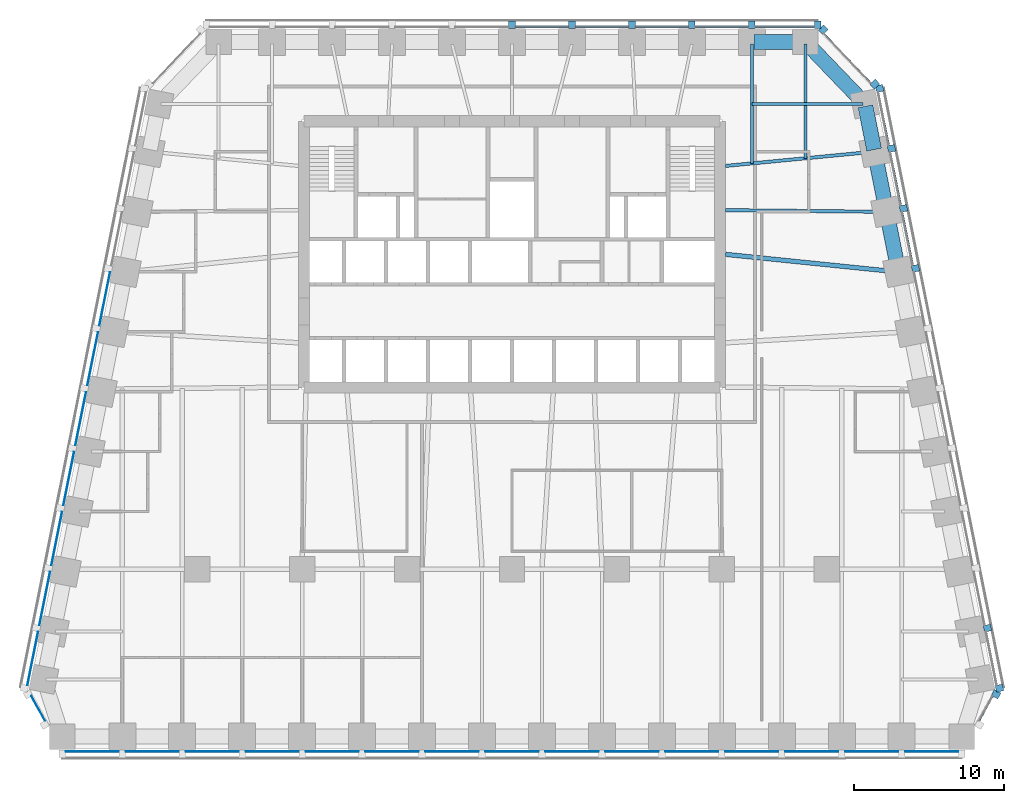
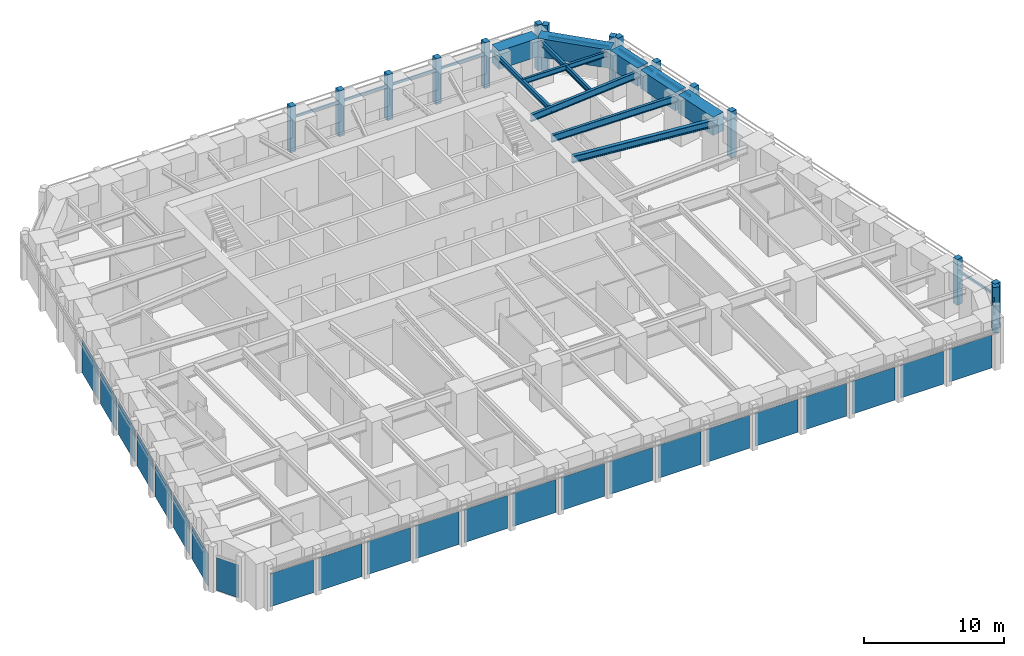
# One storey, part 4 of 10: 26 members, 23 plates, 11 beams, 7 elements without a shape of their own.
"""IFC4 building model written with IfcOpenShell, lengths in metres."""

from ifc_helpers import new_model, si_unit, direction, frame, origin, origin_2d, place, context, subcontext, project, spatial, rectangle, i_section, extrude, material, layer, layer_set, material_profile, profile_set, type_object, element, aggregate, save


model = new_model("IFC4")

# Units and contexts
model_context = context("Model", 3, precision=1e-05, world=origin(), true_north=direction((0.0, 1.0)))
body_context = subcontext(model_context, "Body", "Model", "MODEL_VIEW")
ifc_project = project(units=[si_unit("LENGTHUNIT", "METRE"), si_unit("AREAUNIT", "SQUARE_METRE"), si_unit("VOLUMEUNIT", "CUBIC_METRE"), si_unit("PLANEANGLEUNIT", "RADIAN"), si_unit("MASSUNIT", "GRAM", prefix="KILO")], contexts=[model_context])

# Site, building, storey
site_placement = place(None, origin())
site = spatial("IfcSite", under=ifc_project, at=site_placement, CompositionType="ELEMENT")
building_placement = place(site_placement, origin())
building = spatial("IfcBuilding", under=site, at=building_placement, Name="Isbrekke Arena Tower", CompositionType="ELEMENT")
storey_placement = place(building_placement, frame((0.0, 0.0, 111.0)))
storey = spatial("IfcBuildingStorey", under=building, at=storey_placement, Name="L24", CompositionType="ELEMENT", Elevation=111.0)

# Beams
ifc_material_1 = material(Name="Steel S355", Category="steel")
ifc_material_profile_1 = material_profile(ifc_material_1, i_section(OverallWidth=0.219970703125, OverallDepth=0.60009765625, WebThickness=0.011962890625, FlangeThickness=0.01904296875, FilletRadius=0.02392578125, at=origin_2d()), Name="IPE 600")
ifc_profile_set_1 = profile_set([ifc_material_profile_1], Name="Steel S355")
beam_type_1 = type_object("IfcBeamType", Name="B1 IPE 600", PredefinedType="BEAM", material=ifc_profile_set_1)
beam_1_placement = place(storey_placement, frame((24.83984375, 17.838134765625, 3.550048828125), z_axis=(-0.999944260169, 0.010558245831, 0.0), x_axis=(-0.010558245831, -0.999944260169, 0.0)))
element("IfcBeam", 1, at=beam_1_placement, inside=storey, type_object=beam_type_1, Name="B1 beam E-E09 L24", PredefinedType="BEAM", context=body_context, shape_type="SweptSolid", body=[
    extrude(i_section(OverallWidth=0.219970703125, OverallDepth=0.60009765625, WebThickness=0.011962890625, FlangeThickness=0.01904296875, FilletRadius=0.02392578125, at=origin_2d()), origin(), (0.0, 0.0, 1.0), 10.59033203125),
])
beam_2_placement = place(storey_placement, frame((24.030517578125, 21.837158203125, 3.550048828125), z_axis=(-0.995439798606, -0.095391862082, 0.0), x_axis=(0.095391862082, -0.995439798606, 0.0)))
element("IfcBeam", 2, at=beam_2_placement, inside=storey, type_object=beam_type_1, Name="B1 beam E-E10 L24", PredefinedType="BEAM", context=body_context, shape_type="SweptSolid", body=[
    extrude(i_section(OverallWidth=0.219970703125, OverallDepth=0.60009765625, WebThickness=0.011962890625, FlangeThickness=0.01904296875, FilletRadius=0.02392578125, at=origin_2d()), origin(), (0.0, 0.0, 1.0), 9.825439453125),
])
ifc_material_2 = material(Name="Steel S355", Category="steel")
ifc_material_profile_2 = material_profile(ifc_material_2, i_section(OverallWidth=0.18994140625, OverallDepth=0.449951171875, WebThickness=0.009521484375, FlangeThickness=0.0146484375, FilletRadius=0.02099609375, at=origin_2d()), Name="IPE 450")
ifc_profile_set_2 = profile_set([ifc_material_profile_2], Name="Steel S355")
beam_type_2 = type_object("IfcBeamType", Name="B2 IPE 450", PredefinedType="BEAM", material=ifc_profile_set_2)
beam_3_placement = place(storey_placement, frame((23.40283203125, 25.029296875, 3.625), z_axis=(-1.0, 0.0, 0.0), x_axis=(0.0, -1.0, 0.0)))
element("IfcBeam", 3, at=beam_3_placement, inside=storey, type_object=beam_type_2, Name="B2 beam E-E11 L24", PredefinedType="BEAM", context=body_context, shape_type="SweptSolid", body=[
    extrude(i_section(OverallWidth=0.18994140625, OverallDepth=0.449951171875, WebThickness=0.009521484375, FlangeThickness=0.0146484375, FilletRadius=0.02099609375, at=origin_2d()), origin(), (0.0, 0.0, 1.0), 7.40283203125),
])
ifc_material_3 = material(Name="Steel S355", Category="steel")
ifc_material_profile_3 = material_profile(ifc_material_3, i_section(OverallWidth=0.18994140625, OverallDepth=0.449951171875, WebThickness=0.009521484375, FlangeThickness=0.0146484375, FilletRadius=0.02099609375, at=origin_2d()), Name="IPE 450")
ifc_profile_set_3 = profile_set([ifc_material_profile_3], Name="Steel S355")
beam_type_3 = type_object("IfcBeamType", Name="B3 IPE 450", PredefinedType="BEAM", material=ifc_profile_set_3)
beam_4_placement = place(storey_placement, frame((19.574951171875, 29.02490234375, 3.625), z_axis=(0.0, -1.0, 0.0), x_axis=(1.0, 0.0, 0.0)))
element("IfcBeam", 4, at=beam_4_placement, inside=storey, type_object=beam_type_3, Name="B3 beam N-N01 L24", PredefinedType="BEAM", context=body_context, shape_type="SweptSolid", body=[
    extrude(i_section(OverallWidth=0.18994140625, OverallDepth=0.449951171875, WebThickness=0.009521484375, FlangeThickness=0.0146484375, FilletRadius=0.02099609375, at=origin_2d()), origin(), (0.0, 0.0, 1.0), 7.61474609375),
])
beam_5_placement = place(storey_placement, frame((16.0, 29.02490234375, 3.625), z_axis=(0.0, -1.0, 0.0), x_axis=(1.0, 0.0, 0.0)))
element("IfcBeam", 5, at=beam_5_placement, inside=storey, type_object=beam_type_3, Name="B3 beam N-N02 L24", PredefinedType="BEAM", context=body_context, shape_type="SweptSolid", body=[
    extrude(i_section(OverallWidth=0.18994140625, OverallDepth=0.449951171875, WebThickness=0.009521484375, FlangeThickness=0.0146484375, FilletRadius=0.02099609375, at=origin_2d()), origin(), (0.0, 0.0, 1.0), 7.957275390625),
])
ifc_material_4 = material(Name="Steel S355", Category="steel")
ifc_material_profile_4 = material_profile(ifc_material_4, i_section(OverallWidth=0.300048828125, OverallDepth=0.60009765625, WebThickness=0.015380859375, FlangeThickness=0.030029296875, FilletRadius=0.027099609375, at=origin_2d()), Name="HEB 600")
ifc_profile_set_4 = profile_set([ifc_material_profile_4], Name="Steel S355")
beam_type_4 = type_object("IfcBeamType", Name="B7 HEB 600", PredefinedType="BEAM", material=ifc_profile_set_4)
beam_6_placement = place(storey_placement, frame((25.6259765625, 13.83984375, 3.550048828125), z_axis=(-0.994839949319, 0.10145676537, 0.0), x_axis=(-0.10145676537, -0.994839949319, 0.0)))
element("IfcBeam", 6, at=beam_6_placement, inside=storey, type_object=beam_type_4, Name="B7 beam E-E08 L24", PredefinedType="BEAM", context=body_context, shape_type="SweptSolid", body=[
    extrude(i_section(OverallWidth=0.300048828125, OverallDepth=0.60009765625, WebThickness=0.015380859375, FlangeThickness=0.030029296875, FilletRadius=0.027099609375, at=origin_2d()), origin(), (0.0, 0.0, 1.0), 11.43505859375),
])

# Curtain wall, member
ifc_material_5 = material(Name="Glazed aluminium curtain wall", Category="aluminium")
curtain_wall_type = type_object("IfcCurtainWallType", Name="CWM TOWER CURTAIN WALL MID ZONE", PredefinedType="USERDEFINED", material=ifc_material_5)
curtain_wall_1_placement = place(storey_placement, origin())
curtain_wall_1 = element("IfcCurtainWall", 7, at=curtain_wall_1_placement, inside=storey, type_object=curtain_wall_type, Name="CWM curtain wall L24-SE", ObjectType="TOWER CURTAIN WALL MID ZONE", PredefinedType="USERDEFINED")
ifc_material_6 = material(Name="Aluminium mullion, pale brick slip cladding", Category="masonry")
ifc_material_profile_5 = material_profile(ifc_material_6, rectangle(XDim=0.449951171875, YDim=0.5, at=origin_2d()), Name="PIER 450X500")
ifc_profile_set_5 = profile_set([ifc_material_profile_5], Name="Aluminium mullion, pale brick slip cladding")
member_type_1 = type_object("IfcMemberType", Name="CWM-M PIER MULLION 450 x 500", PredefinedType="MULLION", material=ifc_profile_set_5)
member_1_placement = place(storey_placement, frame((32.296142578125, -14.34375, 0.0), z_axis=(0.0, 0.0, 1.0), x_axis=(0.481918749773, 0.876215908676, 0.0)))
member_1 = element("IfcMember", 8, at=member_1_placement, type_object=member_type_1, Name="CWM-M mullion 2", PredefinedType="MULLION", context=body_context, shape_type="SweptSolid", body=[
    extrude(rectangle(XDim=0.449951171875, YDim=0.5, at=origin_2d()), origin(), (0.0, 0.0, 1.0), 4.0),
])

# Curtain wall, members
curtain_wall_2_placement = place(storey_placement, origin())
curtain_wall_2 = element("IfcCurtainWall", 9, at=curtain_wall_2_placement, inside=storey, type_object=curtain_wall_type, Name="CWM curtain wall L24-E", ObjectType="TOWER CURTAIN WALL MID ZONE", PredefinedType="USERDEFINED")
member_2_placement = place(storey_placement, frame((32.518798828125, -13.936279296875, 0.0), z_axis=(0.0, 0.0, 1.0), x_axis=(-0.196116135138, 0.980580675691, 0.0)))
member_2 = element("IfcMember", 10, at=member_2_placement, type_object=member_type_1, Name="CWM-M mullion 1", PredefinedType="MULLION", context=body_context, shape_type="SweptSolid", body=[
    extrude(rectangle(XDim=0.449951171875, YDim=0.5, at=origin_2d()), origin(), (0.0, 0.0, 1.0), 4.0),
])
member_3_placement = place(storey_placement, frame((31.71875, -9.936279296875, 0.0), z_axis=(0.0, 0.0, 1.0), x_axis=(-0.196116135138, 0.980580675691, 0.0)))
member_3 = element("IfcMember", 11, at=member_3_placement, type_object=member_type_1, Name="CWM-M mullion 2", PredefinedType="MULLION", context=body_context, shape_type="SweptSolid", body=[
    extrude(rectangle(XDim=0.449951171875, YDim=0.5, at=origin_2d()), origin(), (0.0, 0.0, 1.0), 4.0),
])
member_4_placement = place(storey_placement, frame((26.918701171875, 14.063720703125, 0.0), z_axis=(0.0, 0.0, 1.0), x_axis=(-0.196116135138, 0.980580675691, 0.0)))
member_4 = element("IfcMember", 12, at=member_4_placement, type_object=member_type_1, Name="CWM-M mullion 8", PredefinedType="MULLION", context=body_context, shape_type="SweptSolid", body=[
    extrude(rectangle(XDim=0.449951171875, YDim=0.5, at=origin_2d()), origin(), (0.0, 0.0, 1.0), 4.0),
])
member_5_placement = place(storey_placement, frame((26.11865234375, 18.063720703125, 0.0), z_axis=(0.0, 0.0, 1.0), x_axis=(-0.196116135138, 0.980580675691, 0.0)))
member_5 = element("IfcMember", 13, at=member_5_placement, type_object=member_type_1, Name="CWM-M mullion 9", PredefinedType="MULLION", context=body_context, shape_type="SweptSolid", body=[
    extrude(rectangle(XDim=0.449951171875, YDim=0.5, at=origin_2d()), origin(), (0.0, 0.0, 1.0), 4.0),
])
member_6_placement = place(storey_placement, frame((25.318603515625, 22.063720703125, 0.0), z_axis=(0.0, 0.0, 1.0), x_axis=(-0.196116135138, 0.980580675691, 0.0)))
member_6 = element("IfcMember", 14, at=member_6_placement, type_object=member_type_1, Name="CWM-M mullion 10", PredefinedType="MULLION", context=body_context, shape_type="SweptSolid", body=[
    extrude(rectangle(XDim=0.449951171875, YDim=0.5, at=origin_2d()), origin(), (0.0, 0.0, 1.0), 4.0),
])
member_7_placement = place(storey_placement, frame((24.518798828125, 26.063720703125, 0.0), z_axis=(0.0, 0.0, 1.0), x_axis=(-0.196116135138, 0.980580675691, 0.0)))
member_7 = element("IfcMember", 15, at=member_7_placement, type_object=member_type_1, Name="CWM-M mullion 11", PredefinedType="MULLION", context=body_context, shape_type="SweptSolid", body=[
    extrude(rectangle(XDim=0.449951171875, YDim=0.5, at=origin_2d()), origin(), (0.0, 0.0, 1.0), 4.0),
])

curtain_wall_3_placement = place(storey_placement, origin())
curtain_wall_3 = element("IfcCurtainWall", 16, at=curtain_wall_3_placement, inside=storey, type_object=curtain_wall_type, Name="CWM curtain wall L24-EN", ObjectType="TOWER CURTAIN WALL MID ZONE", PredefinedType="USERDEFINED")
member_8_placement = place(storey_placement, frame((24.208251953125, 26.354248046875, 0.0), z_axis=(0.0, 0.0, 1.0), x_axis=(-0.68874946192, 0.72499943359, 0.0)))
member_8 = element("IfcMember", 17, at=member_8_placement, type_object=member_type_1, Name="CWM-M mullion 1", PredefinedType="MULLION", context=body_context, shape_type="SweptSolid", body=[
    extrude(rectangle(XDim=0.449951171875, YDim=0.5, at=origin_2d()), origin(), (0.0, 0.0, 1.0), 4.0),
])
member_9_placement = place(storey_placement, frame((20.7587890625, 29.9853515625, 0.0), z_axis=(0.0, 0.0, 1.0), x_axis=(-0.68874946192, 0.72499943359, 0.0)))
member_9 = element("IfcMember", 18, at=member_9_placement, type_object=member_type_1, Name="CWM-M mullion 2", PredefinedType="MULLION", context=body_context, shape_type="SweptSolid", body=[
    extrude(rectangle(XDim=0.449951171875, YDim=0.5, at=origin_2d()), origin(), (0.0, 0.0, 1.0), 4.0),
])

curtain_wall_4_placement = place(storey_placement, origin())
curtain_wall_4 = element("IfcCurtainWall", 19, at=curtain_wall_4_placement, inside=storey, type_object=curtain_wall_type, Name="CWM curtain wall L24-N", ObjectType="TOWER CURTAIN WALL MID ZONE", PredefinedType="USERDEFINED")
member_10_placement = place(storey_placement, frame((20.39990234375, 30.324951171875, 0.0), z_axis=(0.0, 0.0, 1.0), x_axis=(-1.0, 0.0, 0.0)))
member_10 = element("IfcMember", 20, at=member_10_placement, type_object=member_type_1, Name="CWM-M mullion 1", PredefinedType="MULLION", context=body_context, shape_type="SweptSolid", body=[
    extrude(rectangle(XDim=0.449951171875, YDim=0.5, at=origin_2d()), origin(), (0.0, 0.0, 1.0), 4.0),
])
member_11_placement = place(storey_placement, frame((16.0, 30.324951171875, 0.0), z_axis=(0.0, 0.0, 1.0), x_axis=(-1.0, 0.0, 0.0)))
member_11 = element("IfcMember", 21, at=member_11_placement, type_object=member_type_1, Name="CWM-M mullion 2", PredefinedType="MULLION", context=body_context, shape_type="SweptSolid", body=[
    extrude(rectangle(XDim=0.449951171875, YDim=0.5, at=origin_2d()), origin(), (0.0, 0.0, 1.0), 4.0),
])
member_12_placement = place(storey_placement, frame((12.0, 30.324951171875, 0.0), z_axis=(0.0, 0.0, 1.0), x_axis=(-1.0, 0.0, 0.0)))
member_12 = element("IfcMember", 22, at=member_12_placement, type_object=member_type_1, Name="CWM-M mullion 3", PredefinedType="MULLION", context=body_context, shape_type="SweptSolid", body=[
    extrude(rectangle(XDim=0.449951171875, YDim=0.5, at=origin_2d()), origin(), (0.0, 0.0, 1.0), 4.0),
])
member_13_placement = place(storey_placement, frame((8.0, 30.324951171875, 0.0), z_axis=(0.0, 0.0, 1.0), x_axis=(-1.0, 0.0, 0.0)))
member_13 = element("IfcMember", 23, at=member_13_placement, type_object=member_type_1, Name="CWM-M mullion 4", PredefinedType="MULLION", context=body_context, shape_type="SweptSolid", body=[
    extrude(rectangle(XDim=0.449951171875, YDim=0.5, at=origin_2d()), origin(), (0.0, 0.0, 1.0), 4.0),
])
member_14_placement = place(storey_placement, frame((4.0, 30.324951171875, 0.0), z_axis=(0.0, 0.0, 1.0), x_axis=(-1.0, 0.0, 0.0)))
member_14 = element("IfcMember", 24, at=member_14_placement, type_object=member_type_1, Name="CWM-M mullion 5", PredefinedType="MULLION", context=body_context, shape_type="SweptSolid", body=[
    extrude(rectangle(XDim=0.449951171875, YDim=0.5, at=origin_2d()), origin(), (0.0, 0.0, 1.0), 4.0),
])
member_15_placement = place(storey_placement, frame((0.0, 30.324951171875, 0.0), z_axis=(0.0, 0.0, 1.0), x_axis=(-1.0, 0.0, 0.0)))
member_15 = element("IfcMember", 25, at=member_15_placement, type_object=member_type_1, Name="CWM-M mullion 6", PredefinedType="MULLION", context=body_context, shape_type="SweptSolid", body=[
    extrude(rectangle(XDim=0.449951171875, YDim=0.5, at=origin_2d()), origin(), (0.0, 0.0, 1.0), 4.0),
])

# Member
ifc_material_7 = material(Name="Aluminium transom", Category="aluminium")
ifc_material_profile_6 = material_profile(ifc_material_7, rectangle(XDim=0.1201171875, YDim=0.199951171875, at=origin_2d()), Name="TRANSOM 120X200")
ifc_profile_set_6 = profile_set([ifc_material_profile_6], Name="Aluminium transom")
member_type_2 = type_object("IfcMemberType", Name="CWM-T TRANSOM 120 x 200", PredefinedType="USERDEFINED", material=ifc_profile_set_6)
member_16_placement = place(storey_placement, frame((31.152099609375, -16.112548828125, 3.0), z_axis=(0.482003669577, 0.876169197424, 0.0), x_axis=(-0.876169197424, 0.482003669577, 0.0)))
member_16 = element("IfcMember", 26, at=member_16_placement, type_object=member_type_2, Name="CWM-T transom 1", ObjectType="TRANSOM", PredefinedType="USERDEFINED", context=body_context, shape_type="SweptSolid", body=[
    extrude(rectangle(XDim=0.1201171875, YDim=0.199951171875, at=origin_2d()), origin(), (0.0, 0.0, 1.0), 1.876220703125),
])

aggregate(curtain_wall_1, [member_1, member_16])

member_17_placement = place(storey_placement, frame((32.327392578125, -13.7451171875, 3.0), z_axis=(-0.196090262229, 0.980585849918, 0.0), x_axis=(-0.980585849918, -0.196090262229, 0.0)))
member_17 = element("IfcMember", 27, at=member_17_placement, type_object=member_type_2, Name="CWM-T transom 1", ObjectType="TRANSOM", PredefinedType="USERDEFINED", context=body_context, shape_type="SweptSolid", body=[
    extrude(rectangle(XDim=0.1201171875, YDim=0.199951171875, at=origin_2d()), origin(), (0.0, 0.0, 1.0), 3.62939453125),
])

member_18_placement = place(storey_placement, frame((26.7275390625, 14.2548828125, 3.0), z_axis=(-0.196154943734, 0.980572913173, 0.0), x_axis=(-0.980572913173, -0.196154943734, 0.0)))
member_18 = element("IfcMember", 28, at=member_18_placement, type_object=member_type_2, Name="CWM-T transom 8", ObjectType="TRANSOM", PredefinedType="USERDEFINED", context=body_context, shape_type="SweptSolid", body=[
    extrude(rectangle(XDim=0.1201171875, YDim=0.199951171875, at=origin_2d()), origin(), (0.0, 0.0, 1.0), 3.62939453125),
])

member_19_placement = place(storey_placement, frame((25.927490234375, 18.2548828125, 3.0), z_axis=(-0.196090262229, 0.980585849918, 0.0), x_axis=(-0.980585849918, -0.196090262229, 0.0)))
member_19 = element("IfcMember", 29, at=member_19_placement, type_object=member_type_2, Name="CWM-T transom 9", ObjectType="TRANSOM", PredefinedType="USERDEFINED", context=body_context, shape_type="SweptSolid", body=[
    extrude(rectangle(XDim=0.1201171875, YDim=0.199951171875, at=origin_2d()), origin(), (0.0, 0.0, 1.0), 3.62939453125),
])

member_20_placement = place(storey_placement, frame((25.12744140625, 22.2548828125, 3.0), z_axis=(-0.196090262229, 0.980585849918, 0.0), x_axis=(-0.980585849918, -0.196090262229, 0.0)))
member_20 = element("IfcMember", 30, at=member_20_placement, type_object=member_type_2, Name="CWM-T transom 10", ObjectType="TRANSOM", PredefinedType="USERDEFINED", context=body_context, shape_type="SweptSolid", body=[
    extrude(rectangle(XDim=0.1201171875, YDim=0.199951171875, at=origin_2d()), origin(), (0.0, 0.0, 1.0), 3.62939453125),
])

aggregate(curtain_wall_2, [member_2, member_3, member_4, member_5, member_6, member_7, member_17, member_18, member_19, member_20])

member_21_placement = place(storey_placement, frame((23.944580078125, 26.4140625, 3.0), z_axis=(-0.688771983213, 0.724978037696, 0.0), x_axis=(-0.724978037696, -0.688771983213, 0.0)))
member_21 = element("IfcMember", 31, at=member_21_placement, type_object=member_type_2, Name="CWM-T transom 1", ObjectType="TRANSOM", PredefinedType="USERDEFINED", context=body_context, shape_type="SweptSolid", body=[
    extrude(rectangle(XDim=0.1201171875, YDim=0.199951171875, at=origin_2d()), origin(), (0.0, 0.0, 1.0), 4.558349609375),
])

aggregate(curtain_wall_3, [member_8, member_9, member_21])

member_22_placement = place(storey_placement, frame((20.175048828125, 30.175048828125, 3.0), z_axis=(-1.0, 0.0, 0.0), x_axis=(0.0, -1.0, 0.0)))
member_22 = element("IfcMember", 32, at=member_22_placement, type_object=member_type_2, Name="CWM-T transom 1", ObjectType="TRANSOM", PredefinedType="USERDEFINED", context=body_context, shape_type="SweptSolid", body=[
    extrude(rectangle(XDim=0.1201171875, YDim=0.199951171875, at=origin_2d()), origin(), (0.0, 0.0, 1.0), 3.949951171875),
])

member_23_placement = place(storey_placement, frame((15.77490234375, 30.175048828125, 3.0), z_axis=(-1.0, 0.0, 0.0), x_axis=(0.0, -1.0, 0.0)))
member_23 = element("IfcMember", 33, at=member_23_placement, type_object=member_type_2, Name="CWM-T transom 2", ObjectType="TRANSOM", PredefinedType="USERDEFINED", context=body_context, shape_type="SweptSolid", body=[
    extrude(rectangle(XDim=0.1201171875, YDim=0.199951171875, at=origin_2d()), origin(), (0.0, 0.0, 1.0), 3.5498046875),
])

member_24_placement = place(storey_placement, frame((11.77490234375, 30.175048828125, 3.0), z_axis=(-1.0, 0.0, 0.0), x_axis=(0.0, -1.0, 0.0)))
member_24 = element("IfcMember", 34, at=member_24_placement, type_object=member_type_2, Name="CWM-T transom 3", ObjectType="TRANSOM", PredefinedType="USERDEFINED", context=body_context, shape_type="SweptSolid", body=[
    extrude(rectangle(XDim=0.1201171875, YDim=0.199951171875, at=origin_2d()), origin(), (0.0, 0.0, 1.0), 3.5498046875),
])

member_25_placement = place(storey_placement, frame((7.77490234375, 30.175048828125, 3.0), z_axis=(-1.0, 0.0, 0.0), x_axis=(0.0, -1.0, 0.0)))
member_25 = element("IfcMember", 35, at=member_25_placement, type_object=member_type_2, Name="CWM-T transom 4", ObjectType="TRANSOM", PredefinedType="USERDEFINED", context=body_context, shape_type="SweptSolid", body=[
    extrude(rectangle(XDim=0.1201171875, YDim=0.199951171875, at=origin_2d()), origin(), (0.0, 0.0, 1.0), 3.5498046875),
])

member_26_placement = place(storey_placement, frame((3.77490234375, 30.175048828125, 3.0), z_axis=(-1.0, 0.0, 0.0), x_axis=(0.0, -1.0, 0.0)))
member_26 = element("IfcMember", 36, at=member_26_placement, type_object=member_type_2, Name="CWM-T transom 5", ObjectType="TRANSOM", PredefinedType="USERDEFINED", context=body_context, shape_type="SweptSolid", body=[
    extrude(rectangle(XDim=0.1201171875, YDim=0.199951171875, at=origin_2d()), origin(), (0.0, 0.0, 1.0), 3.5498046875),
])

aggregate(curtain_wall_4, [member_10, member_11, member_12, member_13, member_14, member_15, member_22, member_23, member_24, member_25, member_26])

# Beams
ifc_material_8 = material(Name="Concrete B80 (C80/95)", Category="concrete")
ifc_material_profile_7 = material_profile(ifc_material_8, rectangle(XDim=1.0, YDim=1.60009765625, at=origin_2d()), Name="RC 1000x1600")
ifc_profile_set_7 = profile_set([ifc_material_profile_7], Name="Concrete B80 (C80/95)")
beam_type_5 = type_object("IfcBeamType", Name="SB2 RC 1000 x 1600", PredefinedType="SPANDREL", material=ifc_profile_set_7)
for number, where, z_axis, x_axis, name in (
    (37, (25.76171875, 13.9853515625, 3.199951171875), (-0.196128558387, 0.980578190959, 0.0), (-0.980578190959, -0.196128558387, 0.0), "SB2 spandrel E08-E09 L24"),
    (38, (24.961669921875, 17.9853515625, 3.199951171875), (-0.196128558387, 0.980578190959, 0.0), (-0.980578190959, -0.196128558387, 0.0), "SB2 spandrel E09-E10 L24"),
):
    element("IfcBeam", number, at=place(storey_placement, frame(where, z_axis=z_axis, x_axis=x_axis)), inside=storey, type_object=beam_type_5, Name=name, PredefinedType="SPANDREL", context=body_context, shape_type="SweptSolid", body=[
        extrude(rectangle(XDim=1.0, YDim=1.60009765625, at=origin_2d()), origin(), (0.0, 0.0, 1.0), 3.779296875),
    ])
beam_7_placement = place(storey_placement, frame((24.16162109375, 21.9853515625, 3.199951171875), z_axis=(-0.196116135138, 0.980580675691, 0.0), x_axis=(-0.980580675691, -0.196116135138, 0.0)))
element("IfcBeam", 39, at=beam_7_placement, inside=storey, type_object=beam_type_5, Name="SB2 spandrel E10-E11 L24", PredefinedType="SPANDREL", context=body_context, shape_type="SweptSolid", body=[
    extrude(rectangle(XDim=1.0, YDim=1.60009765625, at=origin_2d()), origin(), (0.0, 0.0, 1.0), 2.9541015625),
])
beam_8_placement = place(storey_placement, frame((23.448974609375, 25.137451171875, 3.199951171875), z_axis=(-0.692339547635, 0.721571861134, 0.0), x_axis=(-0.721571861134, -0.692339547635, 0.0)))
element("IfcBeam", 40, at=beam_8_placement, inside=storey, type_object=beam_type_5, Name="SB2 spandrel E11-N01 L24", PredefinedType="SPANDREL", context=body_context, shape_type="SweptSolid", body=[
    extrude(rectangle(XDim=1.0, YDim=1.60009765625, at=origin_2d()), origin(), (0.0, 0.0, 1.0), 5.4453125),
])
beam_9_placement = place(storey_placement, frame((19.425048828125, 29.175048828125, 3.199951171875), z_axis=(-1.0, 0.0, 0.0), x_axis=(0.0, -1.0, 0.0)))
element("IfcBeam", 41, at=beam_9_placement, inside=storey, type_object=beam_type_5, Name="SB2 spandrel N01-N02 L24", PredefinedType="SPANDREL", context=body_context, shape_type="SweptSolid", body=[
    extrude(rectangle(XDim=1.0, YDim=1.60009765625, at=origin_2d()), origin(), (0.0, 0.0, 1.0), 3.275146484375),
])

# Curtain wall, plates
curtain_wall_5_placement = place(storey_placement, origin())
curtain_wall_5 = element("IfcCurtainWall", 42, at=curtain_wall_5_placement, inside=storey, type_object=curtain_wall_type, Name="CWM curtain wall L24-S", ObjectType="TOWER CURTAIN WALL MID ZONE", PredefinedType="USERDEFINED")
ifc_material_9 = material(Name="Triple-glazed clear glass unit", Category="glass")
ifc_layer = layer(ifc_material_9, 0.031982421875)
ifc_layer_set = layer_set([ifc_layer], Name="CWM-P VISION PANEL")
plate_type = type_object("IfcPlateType", Name="CWM-P VISION PANEL", PredefinedType="CURTAIN_PANEL", material=ifc_layer_set)
plate_1_placement = place(storey_placement, frame((-28.0, -18.175048828125, 0.02001953125), z_axis=(0.0, 0.0, 1.0), x_axis=(1.0, 0.0, 0.0)))
plate_1 = element("IfcPlate", 43, at=plate_1_placement, type_object=plate_type, Name="CWM-P panel 1", PredefinedType="CURTAIN_PANEL", context=body_context, shape_type="SweptSolid", body=[
    extrude(rectangle(XDim=3.550048828125, YDim=0.031982421875, at=origin_2d()), origin(), (0.0, 0.0, 1.0), 2.8798828125),
])
plate_2_placement = place(storey_placement, frame((-24.0, -18.175048828125, 0.02001953125), z_axis=(0.0, 0.0, 1.0), x_axis=(1.0, 0.0, 0.0)))
plate_2 = element("IfcPlate", 44, at=plate_2_placement, type_object=plate_type, Name="CWM-P panel 2", PredefinedType="CURTAIN_PANEL", context=body_context, shape_type="SweptSolid", body=[
    extrude(rectangle(XDim=3.550048828125, YDim=0.031982421875, at=origin_2d()), origin(), (0.0, 0.0, 1.0), 2.8798828125),
])
plate_3_placement = place(storey_placement, frame((-20.0, -18.175048828125, 0.02001953125), z_axis=(0.0, 0.0, 1.0), x_axis=(1.0, 0.0, 0.0)))
plate_3 = element("IfcPlate", 45, at=plate_3_placement, type_object=plate_type, Name="CWM-P panel 3", PredefinedType="CURTAIN_PANEL", context=body_context, shape_type="SweptSolid", body=[
    extrude(rectangle(XDim=3.550048828125, YDim=0.031982421875, at=origin_2d()), origin(), (0.0, 0.0, 1.0), 2.8798828125),
])
plate_4_placement = place(storey_placement, frame((-16.0, -18.175048828125, 0.02001953125), z_axis=(0.0, 0.0, 1.0), x_axis=(1.0, 0.0, 0.0)))
plate_4 = element("IfcPlate", 46, at=plate_4_placement, type_object=plate_type, Name="CWM-P panel 4", PredefinedType="CURTAIN_PANEL", context=body_context, shape_type="SweptSolid", body=[
    extrude(rectangle(XDim=3.550048828125, YDim=0.031982421875, at=origin_2d()), origin(), (0.0, 0.0, 1.0), 2.8798828125),
])
plate_5_placement = place(storey_placement, frame((-12.0, -18.175048828125, 0.02001953125), z_axis=(0.0, 0.0, 1.0), x_axis=(1.0, 0.0, 0.0)))
plate_5 = element("IfcPlate", 47, at=plate_5_placement, type_object=plate_type, Name="CWM-P panel 5", PredefinedType="CURTAIN_PANEL", context=body_context, shape_type="SweptSolid", body=[
    extrude(rectangle(XDim=3.550048828125, YDim=0.031982421875, at=origin_2d()), origin(), (0.0, 0.0, 1.0), 2.8798828125),
])
plate_6_placement = place(storey_placement, frame((-8.0, -18.175048828125, 0.02001953125), z_axis=(0.0, 0.0, 1.0), x_axis=(1.0, 0.0, 0.0)))
plate_6 = element("IfcPlate", 48, at=plate_6_placement, type_object=plate_type, Name="CWM-P panel 6", PredefinedType="CURTAIN_PANEL", context=body_context, shape_type="SweptSolid", body=[
    extrude(rectangle(XDim=3.550048828125, YDim=0.031982421875, at=origin_2d()), origin(), (0.0, 0.0, 1.0), 2.8798828125),
])
plate_7_placement = place(storey_placement, frame((-4.0, -18.175048828125, 0.02001953125), z_axis=(0.0, 0.0, 1.0), x_axis=(1.0, 0.0, 0.0)))
plate_7 = element("IfcPlate", 49, at=plate_7_placement, type_object=plate_type, Name="CWM-P panel 7", PredefinedType="CURTAIN_PANEL", context=body_context, shape_type="SweptSolid", body=[
    extrude(rectangle(XDim=3.550048828125, YDim=0.031982421875, at=origin_2d()), origin(), (0.0, 0.0, 1.0), 2.8798828125),
])
plate_8_placement = place(storey_placement, frame((0.0, -18.175048828125, 0.02001953125), z_axis=(0.0, 0.0, 1.0), x_axis=(1.0, 0.0, 0.0)))
plate_8 = element("IfcPlate", 50, at=plate_8_placement, type_object=plate_type, Name="CWM-P panel 8", PredefinedType="CURTAIN_PANEL", context=body_context, shape_type="SweptSolid", body=[
    extrude(rectangle(XDim=3.550048828125, YDim=0.031982421875, at=origin_2d()), origin(), (0.0, 0.0, 1.0), 2.8798828125),
])
plate_9_placement = place(storey_placement, frame((4.0, -18.175048828125, 0.02001953125), z_axis=(0.0, 0.0, 1.0), x_axis=(1.0, 0.0, 0.0)))
plate_9 = element("IfcPlate", 51, at=plate_9_placement, type_object=plate_type, Name="CWM-P panel 9", PredefinedType="CURTAIN_PANEL", context=body_context, shape_type="SweptSolid", body=[
    extrude(rectangle(XDim=3.550048828125, YDim=0.031982421875, at=origin_2d()), origin(), (0.0, 0.0, 1.0), 2.8798828125),
])
plate_10_placement = place(storey_placement, frame((8.0, -18.175048828125, 0.02001953125), z_axis=(0.0, 0.0, 1.0), x_axis=(1.0, 0.0, 0.0)))
plate_10 = element("IfcPlate", 52, at=plate_10_placement, type_object=plate_type, Name="CWM-P panel 10", PredefinedType="CURTAIN_PANEL", context=body_context, shape_type="SweptSolid", body=[
    extrude(rectangle(XDim=3.550048828125, YDim=0.031982421875, at=origin_2d()), origin(), (0.0, 0.0, 1.0), 2.8798828125),
])
plate_11_placement = place(storey_placement, frame((12.0, -18.175048828125, 0.02001953125), z_axis=(0.0, 0.0, 1.0), x_axis=(1.0, 0.0, 0.0)))
plate_11 = element("IfcPlate", 53, at=plate_11_placement, type_object=plate_type, Name="CWM-P panel 11", PredefinedType="CURTAIN_PANEL", context=body_context, shape_type="SweptSolid", body=[
    extrude(rectangle(XDim=3.550048828125, YDim=0.031982421875, at=origin_2d()), origin(), (0.0, 0.0, 1.0), 2.8798828125),
])
plate_12_placement = place(storey_placement, frame((16.0, -18.175048828125, 0.02001953125), z_axis=(0.0, 0.0, 1.0), x_axis=(1.0, 0.0, 0.0)))
plate_12 = element("IfcPlate", 54, at=plate_12_placement, type_object=plate_type, Name="CWM-P panel 12", PredefinedType="CURTAIN_PANEL", context=body_context, shape_type="SweptSolid", body=[
    extrude(rectangle(XDim=3.550048828125, YDim=0.031982421875, at=origin_2d()), origin(), (0.0, 0.0, 1.0), 2.8798828125),
])
plate_13_placement = place(storey_placement, frame((20.0, -18.175048828125, 0.02001953125), z_axis=(0.0, 0.0, 1.0), x_axis=(1.0, 0.0, 0.0)))
plate_13 = element("IfcPlate", 55, at=plate_13_placement, type_object=plate_type, Name="CWM-P panel 13", PredefinedType="CURTAIN_PANEL", context=body_context, shape_type="SweptSolid", body=[
    extrude(rectangle(XDim=3.550048828125, YDim=0.031982421875, at=origin_2d()), origin(), (0.0, 0.0, 1.0), 2.8798828125),
])
plate_14_placement = place(storey_placement, frame((24.0, -18.175048828125, 0.02001953125), z_axis=(0.0, 0.0, 1.0), x_axis=(1.0, 0.0, 0.0)))
plate_14 = element("IfcPlate", 56, at=plate_14_placement, type_object=plate_type, Name="CWM-P panel 14", PredefinedType="CURTAIN_PANEL", context=body_context, shape_type="SweptSolid", body=[
    extrude(rectangle(XDim=3.550048828125, YDim=0.031982421875, at=origin_2d()), origin(), (0.0, 0.0, 1.0), 2.8798828125),
])
plate_15_placement = place(storey_placement, frame((28.0, -18.175048828125, 0.02001953125), z_axis=(0.0, 0.0, 1.0), x_axis=(1.0, 0.0, 0.0)))
plate_15 = element("IfcPlate", 57, at=plate_15_placement, type_object=plate_type, Name="CWM-P panel 15", PredefinedType="CURTAIN_PANEL", context=body_context, shape_type="SweptSolid", body=[
    extrude(rectangle(XDim=3.550048828125, YDim=0.031982421875, at=origin_2d()), origin(), (0.0, 0.0, 1.0), 2.8798828125),
])
aggregate(curtain_wall_5, [plate_1, plate_2, plate_3, plate_4, plate_5, plate_6, plate_7, plate_8, plate_9, plate_10, plate_11, plate_12, plate_13, plate_14, plate_15])

curtain_wall_6_placement = place(storey_placement, origin())
curtain_wall_6 = element("IfcCurtainWall", 58, at=curtain_wall_6_placement, inside=storey, type_object=curtain_wall_type, Name="CWM curtain wall L24-W", ObjectType="TOWER CURTAIN WALL MID ZONE", PredefinedType="USERDEFINED")
plate_16_placement = place(storey_placement, frame((-27.171630859375, 12.034423828125, 0.02001953125), z_axis=(0.0, 0.0, 1.0), x_axis=(-0.196116135138, -0.980580675691, 0.0)))
plate_16 = element("IfcPlate", 59, at=plate_16_placement, type_object=plate_type, Name="CWM-P panel 4", PredefinedType="CURTAIN_PANEL", context=body_context, shape_type="SweptSolid", body=[
    extrude(rectangle(XDim=3.629150390625, YDim=0.031982421875, at=origin_2d()), origin(), (0.0, 0.0, 1.0), 2.8798828125),
])
plate_17_placement = place(storey_placement, frame((-27.9716796875, 8.034423828125, 0.02001953125), z_axis=(0.0, 0.0, 1.0), x_axis=(-0.196116135138, -0.980580675691, 0.0)))
plate_17 = element("IfcPlate", 60, at=plate_17_placement, type_object=plate_type, Name="CWM-P panel 5", PredefinedType="CURTAIN_PANEL", context=body_context, shape_type="SweptSolid", body=[
    extrude(rectangle(XDim=3.629150390625, YDim=0.031982421875, at=origin_2d()), origin(), (0.0, 0.0, 1.0), 2.8798828125),
])
plate_18_placement = place(storey_placement, frame((-28.771484375, 4.034423828125, 0.02001953125), z_axis=(0.0, 0.0, 1.0), x_axis=(-0.196116135138, -0.980580675691, 0.0)))
plate_18 = element("IfcPlate", 61, at=plate_18_placement, type_object=plate_type, Name="CWM-P panel 6", PredefinedType="CURTAIN_PANEL", context=body_context, shape_type="SweptSolid", body=[
    extrude(rectangle(XDim=3.629150390625, YDim=0.031982421875, at=origin_2d()), origin(), (0.0, 0.0, 1.0), 2.8798828125),
])
plate_19_placement = place(storey_placement, frame((-29.571533203125, 0.034423828125, 0.02001953125), z_axis=(0.0, 0.0, 1.0), x_axis=(-0.196116135138, -0.980580675691, 0.0)))
plate_19 = element("IfcPlate", 62, at=plate_19_placement, type_object=plate_type, Name="CWM-P panel 7", PredefinedType="CURTAIN_PANEL", context=body_context, shape_type="SweptSolid", body=[
    extrude(rectangle(XDim=3.629150390625, YDim=0.031982421875, at=origin_2d()), origin(), (0.0, 0.0, 1.0), 2.8798828125),
])
plate_20_placement = place(storey_placement, frame((-30.37158203125, -3.965576171875, 0.02001953125), z_axis=(0.0, 0.0, 1.0), x_axis=(-0.196116135138, -0.980580675691, 0.0)))
plate_20 = element("IfcPlate", 63, at=plate_20_placement, type_object=plate_type, Name="CWM-P panel 8", PredefinedType="CURTAIN_PANEL", context=body_context, shape_type="SweptSolid", body=[
    extrude(rectangle(XDim=3.629150390625, YDim=0.031982421875, at=origin_2d()), origin(), (0.0, 0.0, 1.0), 2.8798828125),
])
plate_21_placement = place(storey_placement, frame((-31.171630859375, -7.965576171875, 0.02001953125), z_axis=(0.0, 0.0, 1.0), x_axis=(-0.196116135138, -0.980580675691, 0.0)))
plate_21 = element("IfcPlate", 64, at=plate_21_placement, type_object=plate_type, Name="CWM-P panel 9", PredefinedType="CURTAIN_PANEL", context=body_context, shape_type="SweptSolid", body=[
    extrude(rectangle(XDim=3.629150390625, YDim=0.031982421875, at=origin_2d()), origin(), (0.0, 0.0, 1.0), 2.8798828125),
])
plate_22_placement = place(storey_placement, frame((-31.9716796875, -11.965576171875, 0.02001953125), z_axis=(0.0, 0.0, 1.0), x_axis=(-0.196116135138, -0.980580675691, 0.0)))
plate_22 = element("IfcPlate", 65, at=plate_22_placement, type_object=plate_type, Name="CWM-P panel 10", PredefinedType="CURTAIN_PANEL", context=body_context, shape_type="SweptSolid", body=[
    extrude(rectangle(XDim=3.629150390625, YDim=0.031982421875, at=origin_2d()), origin(), (0.0, 0.0, 1.0), 2.8798828125),
])
aggregate(curtain_wall_6, [plate_16, plate_17, plate_18, plate_19, plate_20, plate_21, plate_22])

# Curtain wall, plate
curtain_wall_7_placement = place(storey_placement, origin())
curtain_wall_7 = element("IfcCurtainWall", 66, at=curtain_wall_7_placement, inside=storey, type_object=curtain_wall_type, Name="CWM curtain wall L24-WS", ObjectType="TOWER CURTAIN WALL MID ZONE", PredefinedType="USERDEFINED")
plate_23_placement = place(storey_placement, frame((-31.60400390625, -15.291015625, 0.02001953125), z_axis=(0.0, 0.0, 1.0), x_axis=(0.481918749773, -0.876215908676, 0.0)))
plate_23 = element("IfcPlate", 67, at=plate_23_placement, type_object=plate_type, Name="CWM-P panel 1", PredefinedType="CURTAIN_PANEL", context=body_context, shape_type="SweptSolid", body=[
    extrude(rectangle(XDim=1.878173828125, YDim=0.031982421875, at=origin_2d()), origin(), (0.0, 0.0, 1.0), 2.8798828125),
])
aggregate(curtain_wall_7, [plate_23])

save(model, "model.ifc")
